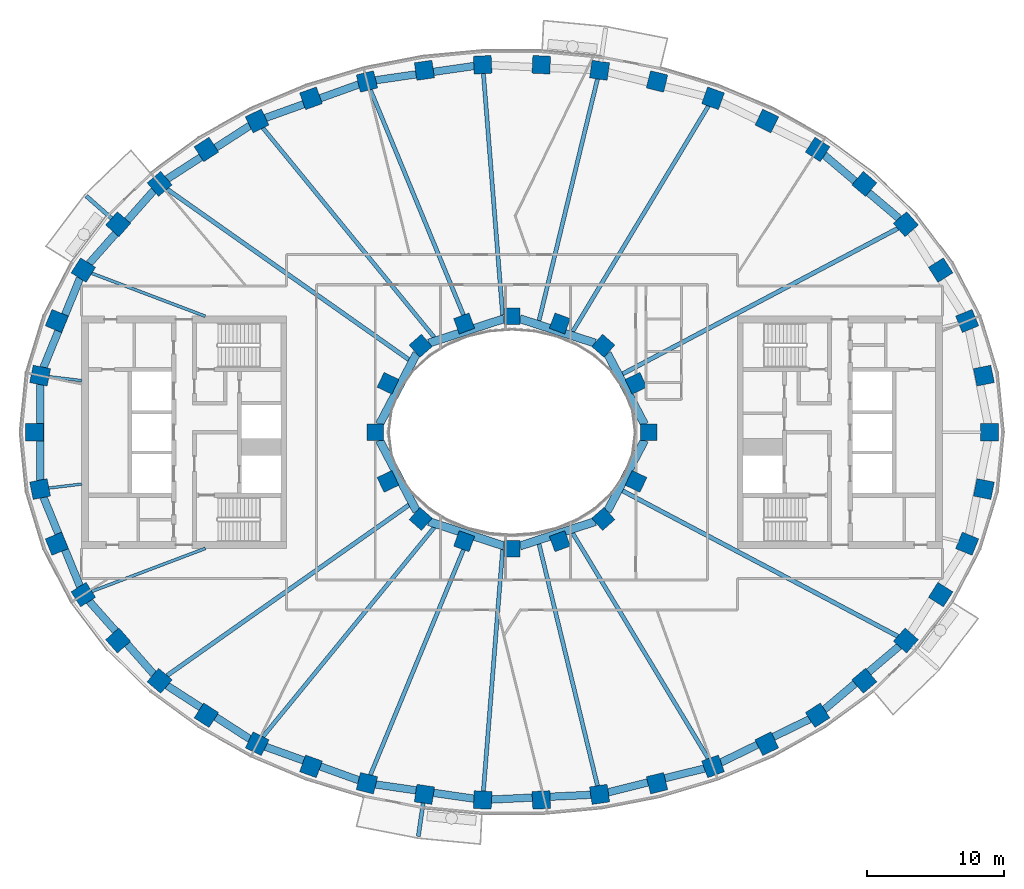
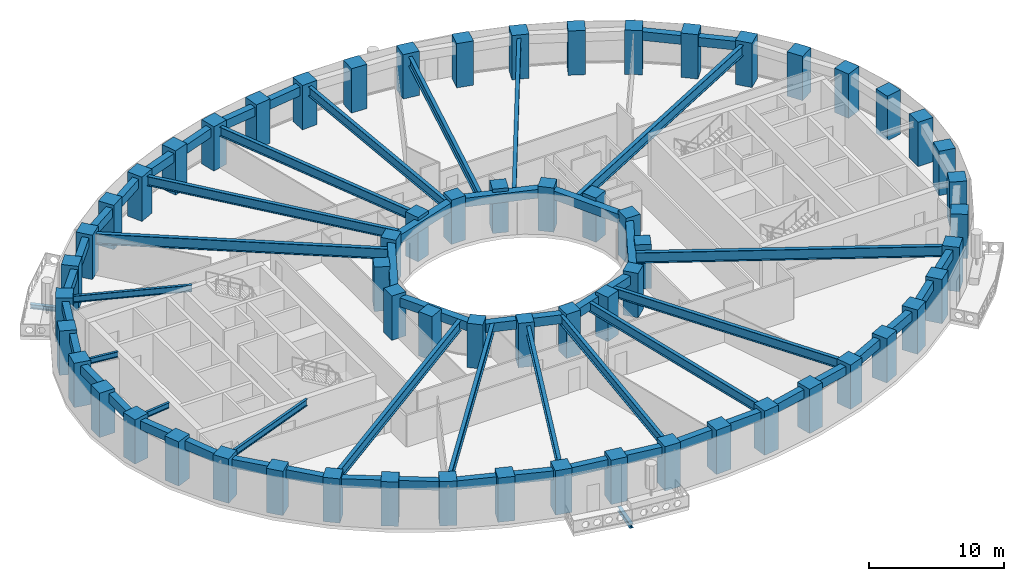
# One storey, part 1 of 16: 62 columns, 44 beams.
"""IFC4 building model written with IfcOpenShell, lengths in metres."""

import ifcopenshell
import ifcopenshell.guid

model = None  # the IFC model being written
_history = None  # IfcOwnerHistory: only IFC2X3 demands one
_inside = {}  # id of a spatial element -> (the spatial element, [elements in it])
_under = {}  # id of a project, library or spatial element -> (it, [spatial elements below it])
_declared = {}  # id of a project -> (the project, [libraries it declares])
_typed = {}  # id of a type object -> (the type object, [elements of that type])
_made_of = {}  # id of a material, layer set ... -> (it, [elements and type objects made of it])


def new_model(schema):
    """Start an empty IFC model of exactly this schema.

    Asked for "IFC4X3", IfcOpenShell would pick the latest addendum, in which some entities
    have other attributes; the version numbers below select the first issue.
    IFC2X3 requires an IfcOwnerHistory on every rooted entity: one is made here for all.
    """
    global model, _history
    if schema == "IFC4X3":
        model = ifcopenshell.file(schema_version=(4, 3, 0, 0))
    else:
        model = ifcopenshell.file(schema=schema)
    _inside.clear()
    _under.clear()
    _declared.clear()
    _typed.clear()
    _made_of.clear()
    _history = None
    if model.schema == "IFC2X3":
        org = make("IfcOrganization", Name="unknown")
        user = make(
            "IfcPersonAndOrganization",
            ThePerson=make("IfcPerson", FamilyName="unknown"),
            TheOrganization=org,
        )
        app = make(
            "IfcApplication",
            ApplicationDeveloper=org,
            Version="unknown",
            ApplicationFullName="unknown",
            ApplicationIdentifier="unknown",
        )
        _history = make(
            "IfcOwnerHistory",
            OwningUser=user,
            OwningApplication=app,
            ChangeAction="ADDED",
            CreationDate=0,
        )
    return model


def make(cls, **values):
    """One entity of the class cls with the attributes given. An attribute that is None is left unset."""
    return model.create_entity(
        cls, **{name: value for name, value in values.items() if value is not None}
    )


def rooted(cls, **values):
    """An entity with a GlobalId (a new one), such as an element, a storey or a relation."""
    return make(cls, GlobalId=ifcopenshell.guid.new(), OwnerHistory=_history, **values)


def si_unit(unit_type, name, prefix=None):
    """IfcSIUnit, for example si_unit("LENGTHUNIT", "METRE", prefix="MILLI")."""
    return make("IfcSIUnit", UnitType=unit_type, Prefix=prefix, Name=name)


def assignment(units):
    """IfcUnitAssignment: the units of a project."""
    return None if units is None else make("IfcUnitAssignment", Units=units)


def point(xyz):
    """IfcCartesianPoint."""
    return None if xyz is None else make("IfcCartesianPoint", Coordinates=xyz)


def direction(xyz):
    """IfcDirection."""
    return None if xyz is None else make("IfcDirection", DirectionRatios=xyz)


def frame(location, z_axis=None, x_axis=None):
    """IfcAxis2Placement3D, a coordinate frame: its origin and axes. An axis left out is left unset."""
    return make(
        "IfcAxis2Placement3D",
        Location=point(location),
        Axis=direction(z_axis),
        RefDirection=direction(x_axis),
    )


def frame_2d(location, x_axis=None):
    """IfcAxis2Placement2D, a coordinate frame in the plane: its origin and x axis."""
    return make(
        "IfcAxis2Placement2D", Location=point(location), RefDirection=direction(x_axis)
    )


def origin():
    """The frame at (0, 0, 0) with its axes left unset."""
    return frame((0.0, 0.0, 0.0))


def origin_2d():
    """The frame at (0, 0) in the plane with its x axis left unset."""
    return frame_2d((0.0, 0.0))


def place(relative_to, where):
    """IfcLocalPlacement: puts the frame where relative to a parent placement (None: the world)."""
    return make(
        "IfcLocalPlacement", PlacementRelTo=relative_to, RelativePlacement=where
    )


def context(
    kind, dimensions, precision=None, world=None, true_north=None, identifier=None
):
    """IfcGeometricRepresentationContext, for example the 3D "Model" context."""
    return make(
        "IfcGeometricRepresentationContext",
        ContextIdentifier=identifier,
        ContextType=kind,
        CoordinateSpaceDimension=dimensions,
        Precision=precision,
        WorldCoordinateSystem=world,
        TrueNorth=true_north,
    )


def subcontext(parent, identifier, kind, view, scale=None):
    """IfcGeometricRepresentationSubContext, for example "Body" below "Model"."""
    return make(
        "IfcGeometricRepresentationSubContext",
        ContextIdentifier=identifier,
        ContextType=kind,
        ParentContext=parent,
        TargetScale=scale,
        TargetView=view,
    )


def project(units=None, contexts=None):
    """IfcProject with its units and contexts."""
    return rooted(
        "IfcProject",
        Name="project",
        RepresentationContexts=contexts,
        UnitsInContext=assignment(units),
    )


def spatial(cls, under=None, at=None, **own):
    """A site, building, storey or space (cls), placed at a placement, below another one or the project."""
    s = rooted(cls, ObjectPlacement=at, **own)
    if under is not None:
        _under.setdefault(under.id(), (under, []))[1].append(s)
    return s


def profile(cls, at=None, kind="AREA", **sizes):
    """A parametric profile (cls). Its sizes go by their IFC names, for example OverallWidth=200.0."""
    return make(cls, ProfileType=kind, Position=at, **sizes)


def rectangle(**sizes):
    """IfcRectangleProfileDef."""
    return profile("IfcRectangleProfileDef", **sizes)


def i_section(**sizes):
    """IfcIShapeProfileDef."""
    return profile("IfcIShapeProfileDef", **sizes)


def extrude(swept, where, along, depth):
    """IfcExtrudedAreaSolid: the profile swept, set in the frame where, extruded along a direction by depth."""
    return make(
        "IfcExtrudedAreaSolid",
        SweptArea=swept,
        Position=where,
        ExtrudedDirection=direction(along),
        Depth=depth,
    )


def shape(context_of_items, identifier, shape_type, items):
    """IfcShapeRepresentation: the items that make up one representation, for example the "Body"."""
    return make(
        "IfcShapeRepresentation",
        ContextOfItems=context_of_items,
        RepresentationIdentifier=identifier,
        RepresentationType=shape_type,
        Items=items,
    )


def material(Name=None, Category=None):
    """IfcMaterial."""
    return make("IfcMaterial", Name=Name, Category=Category)


def material_profile(
    of_material, cross_section, Name=None, Category=None, Priority=None
):
    """IfcMaterialProfile: a cross section and its material."""
    return make(
        "IfcMaterialProfile",
        Name=Name,
        Material=of_material,
        Profile=cross_section,
        Priority=Priority,
        Category=Category,
    )


def profile_set(profiles, Name=None, composite=None):
    """IfcMaterialProfileSet."""
    return make(
        "IfcMaterialProfileSet",
        Name=Name,
        MaterialProfiles=profiles,
        CompositeProfile=composite,
    )


def made_of(thing, what):
    """Note that an element or type object is made of a material, layer set ...; save() writes the relation."""
    if what is not None:
        _made_of.setdefault(what.id(), (what, []))[1].append(thing)
    return thing


def type_object(cls, material=None, **own):
    """A type object (cls), such as IfcWallType, which elements share."""
    return made_of(rooted(cls, **own), material)


def element(
    cls,
    number,
    at=None,
    inside=None,
    cuts=None,
    type_object=None,
    material=None,
    context=None,
    identifier="Body",
    shape_type=None,
    held_by="IfcProductDefinitionShape",
    body=None,
    shapes=None,
    **own,
):
    """One element of the class cls, such as IfcWall. Its Tag is "e" and its number.

    at: its placement. inside: the storey or other place that contains it. cuts: it is an
    opening in that element (IfcRelVoidsElement). A single representation is given by context,
    identifier, shape_type and body (its items); several are given by shapes. held_by: the class
    of the entity that holds the representations. save() writes the other relations.
    """
    e = rooted(cls, Tag="e%d" % number, ObjectPlacement=at, **own)
    if body is not None:
        shapes = [shape(context, identifier, shape_type, body)]
    if shapes is not None:
        e.Representation = make(held_by, Representations=shapes)
    if inside is not None:
        _inside.setdefault(inside.id(), (inside, []))[1].append(e)
    if cuts is not None:
        rooted(
            "IfcRelVoidsElement", RelatingBuildingElement=cuts, RelatedOpeningElement=e
        )
    if type_object is not None:
        _typed.setdefault(type_object.id(), (type_object, []))[1].append(e)
    return made_of(e, material)


def aggregate(whole, parts):
    """IfcRelAggregates: a whole, such as a stair, and the parts it consists of."""
    return rooted("IfcRelAggregates", RelatingObject=whole, RelatedObjects=parts)


def save(model, path):
    """Write the relations noted so far, then the file.

    IfcRelAggregates (storeys below a building ...), IfcRelContainedInSpatialStructure (elements
    in a storey), IfcRelDefinesByType, IfcRelAssociatesMaterial and IfcRelDeclares: one each for
    every whole, place, type object, material and project.
    """
    for whole, parts in _under.values():
        aggregate(whole, parts)
    for where, things in _inside.values():
        rooted(
            "IfcRelContainedInSpatialStructure",
            RelatedElements=things,
            RelatingStructure=where,
        )
    for kind, things in _typed.values():
        rooted("IfcRelDefinesByType", RelatedObjects=things, RelatingType=kind)
    for what, things in _made_of.values():
        rooted("IfcRelAssociatesMaterial", RelatedObjects=things, RelatingMaterial=what)
    for by, libraries in _declared.values():
        rooted("IfcRelDeclares", RelatingContext=by, RelatedDefinitions=libraries)
    model.write(path)


model = new_model("IFC4")

# Units and contexts
model_context = context("Model", 3, precision=1e-05, world=origin(), true_north=direction((0.0, 1.0)))
body_context = subcontext(model_context, "Body", "Model", "MODEL_VIEW")
ifc_project = project(units=[si_unit("LENGTHUNIT", "METRE"), si_unit("AREAUNIT", "SQUARE_METRE"), si_unit("VOLUMEUNIT", "CUBIC_METRE"), si_unit("PLANEANGLEUNIT", "RADIAN"), si_unit("MASSUNIT", "GRAM", prefix="KILO")], contexts=[model_context])

# Site, building, storey
site_placement = place(None, origin())
site = spatial("IfcSite", under=ifc_project, at=site_placement, CompositionType="ELEMENT")
building_placement = place(site_placement, origin())
building = spatial("IfcBuilding", under=site, at=building_placement, Name="Noorbagh Ring Tower", CompositionType="ELEMENT")
storey_placement = place(building_placement, frame((0.0, 0.0, 100.0)))
storey = spatial("IfcBuildingStorey", under=building, at=storey_placement, Name="L22", CompositionType="ELEMENT", Elevation=100.0)

# Columns
ifc_material_1 = material(Name="Concrete C60/75", Category="concrete")
ifc_material_profile_1 = material_profile(ifc_material_1, rectangle(XDim=1.300048828125, YDim=1.300048828125, at=origin_2d()), Name="RC1300x1300")
ifc_profile_set_1 = profile_set([ifc_material_profile_1], Name="Concrete C60/75")
column_type_1 = type_object("IfcColumnType", Name="STR-COL-RC1300x1300-C60-75", PredefinedType="COLUMN", material=ifc_profile_set_1)
for number, where, z_axis, x_axis, name in (
    (1, (34.944580078125, 0.0, 0.0), (0.0, 0.0, 1.0), (0.0, 1.0, 0.0), "L22/col/R1-01"),
    (2, (34.52685546875, 4.150634765625, 0.0), (0.0, 0.0, 1.0), (-0.19723040178, 0.9803571638, 0.0), "L22/col/R1-02"),
    (3, (33.30517578125, 8.1494140625, 0.0), (0.0, 0.0, 1.0), (-0.378989499959, 0.925400971969, 0.0), "L22/col/R1-03"),
    (4, (31.364990234375, 11.87109375, 0.0), (0.0, 0.0, 1.0), (-0.535190403059, 0.844731455833, 0.0), "L22/col/R1-04"),
    (5, (28.81884765625, 15.23046875, 0.0), (0.0, 0.0, 1.0), (-0.662635642662, 0.748941923699, 0.0), "L22/col/R1-05"),
    (6, (25.78271484375, 18.180419921875, 0.0), (0.0, 0.0, 1.0), (-0.763035199656, 0.646356932419, 0.0), "L22/col/R1-06"),
    (7, (22.362060546875, 20.699951171875, 0.0), (0.0, 0.0, 1.0), (-0.840247639643, 0.542202825586, 0.0), "L22/col/R1-07"),
    (8, (18.646240234375, 22.785400390625, 0.0), (0.0, 0.0, 1.0), (-0.898399080868, 0.439180021741, 0.0), "L22/col/R1-08"),
    (9, (14.70947265625, 24.44091796875, 0.0), (0.0, 0.0, 1.0), (-0.941024726094, 0.338337797003, 0.0), "L22/col/R1-09"),
    (10, (10.61328125, 25.673583984375, 0.0), (0.0, 0.0, 1.0), (-0.970829360981, 0.239771457553, 0.0), "L22/col/R1-10"),
    (11, (6.4091796875, 26.49072265625, 0.0), (0.0, 0.0, 1.0), (-0.989713114048, 0.143066249975, 0.0), "L22/col/R1-11"),
    (12, (2.14306640625, 26.89794921875, 0.0), (0.0, 0.0, 1.0), (-0.998868731212, 0.047552684538, 0.0), "L22/col/R1-12"),
    (13, (-2.14306640625, 26.89794921875, 0.0), (0.0, 0.0, 1.0), (-0.998868731212, -0.047552684538, 0.0), "L22/col/R1-13"),
    (14, (-6.4091796875, 26.49072265625, 0.0), (0.0, 0.0, 1.0), (-0.989713114048, -0.143066249975, 0.0), "L22/col/R1-14"),
    (15, (-10.61328125, 25.673583984375, 0.0), (0.0, 0.0, 1.0), (-0.970829360981, -0.239771457553, 0.0), "L22/col/R1-15"),
    (16, (-14.70947265625, 24.44091796875, 0.0), (0.0, 0.0, 1.0), (-0.941024726094, -0.338337797003, 0.0), "L22/col/R1-16"),
    (17, (-18.646240234375, 22.785400390625, 0.0), (0.0, 0.0, 1.0), (-0.898399080868, -0.439180021741, 0.0), "L22/col/R1-17"),
    (18, (-22.362060546875, 20.699951171875, 0.0), (0.0, 0.0, 1.0), (-0.840247639643, -0.542202825586, 0.0), "L22/col/R1-18"),
    (19, (-25.78271484375, 18.180419921875, 0.0), (0.0, 0.0, 1.0), (-0.763035199656, -0.646356932419, 0.0), "L22/col/R1-19"),
    (20, (-28.81884765625, 15.23046875, 0.0), (0.0, 0.0, 1.0), (-0.662635642662, -0.748941923699, 0.0), "L22/col/R1-20"),
    (21, (-31.364990234375, 11.87109375, 0.0), (0.0, 0.0, 1.0), (-0.535190403059, -0.844731455833, 0.0), "L22/col/R1-21"),
    (22, (-33.30517578125, 8.1494140625, 0.0), (0.0, 0.0, 1.0), (-0.378989499959, -0.925400971969, 0.0), "L22/col/R1-22"),
    (23, (-34.52685546875, 4.150634765625, 0.0), (0.0, 0.0, 1.0), (-0.19723040178, -0.9803571638, 0.0), "L22/col/R1-23"),
    (24, (-34.944580078125, 0.0, 0.0), (0.0, 0.0, 1.0), (0.0, -1.0, 0.0), "L22/col/R1-24"),
    (25, (-34.52685546875, -4.150634765625, 0.0), (0.0, 0.0, 1.0), (0.19723040178, -0.9803571638, 0.0), "L22/col/R1-25"),
    (26, (-33.30517578125, -8.1494140625, 0.0), (0.0, 0.0, 1.0), (0.378989499959, -0.925400971969, 0.0), "L22/col/R1-26"),
    (27, (-31.364990234375, -11.87109375, 0.0), (0.0, 0.0, 1.0), (0.535190403059, -0.844731455833, 0.0), "L22/col/R1-27"),
    (28, (-28.81884765625, -15.23046875, 0.0), (0.0, 0.0, 1.0), (0.662635642662, -0.748941923699, 0.0), "L22/col/R1-28"),
    (29, (-25.78271484375, -18.180419921875, 0.0), (0.0, 0.0, 1.0), (0.763035199656, -0.646356932419, 0.0), "L22/col/R1-29"),
    (30, (-22.362060546875, -20.699951171875, 0.0), (0.0, 0.0, 1.0), (0.840247639643, -0.542202825586, 0.0), "L22/col/R1-30"),
    (31, (-18.646240234375, -22.785400390625, 0.0), (0.0, 0.0, 1.0), (0.898399080868, -0.439180021741, 0.0), "L22/col/R1-31"),
    (32, (-14.70947265625, -24.44091796875, 0.0), (0.0, 0.0, 1.0), (0.941024726094, -0.338337797003, 0.0), "L22/col/R1-32"),
    (33, (-10.61328125, -25.673583984375, 0.0), (0.0, 0.0, 1.0), (0.970829360981, -0.239771457553, 0.0), "L22/col/R1-33"),
    (34, (-6.4091796875, -26.49072265625, 0.0), (0.0, 0.0, 1.0), (0.989713114048, -0.143066249975, 0.0), "L22/col/R1-34"),
    (35, (-2.14306640625, -26.89794921875, 0.0), (0.0, 0.0, 1.0), (0.998868731212, -0.047552684538, 0.0), "L22/col/R1-35"),
    (36, (2.14306640625, -26.89794921875, 0.0), (0.0, 0.0, 1.0), (0.998868731212, 0.047552684538, 0.0), "L22/col/R1-36"),
    (37, (6.4091796875, -26.49072265625, 0.0), (0.0, 0.0, 1.0), (0.989713114048, 0.143066249975, 0.0), "L22/col/R1-37"),
    (38, (10.61328125, -25.673583984375, 0.0), (0.0, 0.0, 1.0), (0.970829360981, 0.239771457553, 0.0), "L22/col/R1-38"),
    (39, (14.70947265625, -24.44091796875, 0.0), (0.0, 0.0, 1.0), (0.941024726094, 0.338337797003, 0.0), "L22/col/R1-39"),
    (40, (18.646240234375, -22.785400390625, 0.0), (0.0, 0.0, 1.0), (0.898399080868, 0.439180021741, 0.0), "L22/col/R1-40"),
    (41, (22.362060546875, -20.699951171875, 0.0), (0.0, 0.0, 1.0), (0.840247639643, 0.542202825586, 0.0), "L22/col/R1-41"),
    (42, (25.78271484375, -18.180419921875, 0.0), (0.0, 0.0, 1.0), (0.763035199656, 0.646356932419, 0.0), "L22/col/R1-42"),
    (43, (28.81884765625, -15.23046875, 0.0), (0.0, 0.0, 1.0), (0.662635642662, 0.748941923699, 0.0), "L22/col/R1-43"),
    (44, (31.364990234375, -11.87109375, 0.0), (0.0, 0.0, 1.0), (0.535190403059, 0.844731455833, 0.0), "L22/col/R1-44"),
    (45, (33.30517578125, -8.1494140625, 0.0), (0.0, 0.0, 1.0), (0.378989499959, 0.925400971969, 0.0), "L22/col/R1-45"),
    (46, (34.52685546875, -4.150634765625, 0.0), (0.0, 0.0, 1.0), (0.19723040178, 0.9803571638, 0.0), "L22/col/R1-46"),
):
    element("IfcColumn", number, at=place(storey_placement, frame(where, z_axis=z_axis, x_axis=x_axis)), inside=storey, type_object=column_type_1, Name=name, PredefinedType="COLUMN", context=body_context, shape_type="SweptSolid", body=[
        extrude(rectangle(XDim=1.300048828125, YDim=1.300048828125, at=origin_2d()), origin(), (0.0, 0.0, 1.0), 4.0),
    ])
ifc_material_2 = material(Name="Concrete C60/75", Category="concrete")
ifc_material_profile_2 = material_profile(ifc_material_2, rectangle(XDim=1.199951171875, YDim=1.199951171875, at=origin_2d()), Name="RC1200x1200")
ifc_profile_set_2 = profile_set([ifc_material_profile_2], Name="Concrete C60/75")
column_type_2 = type_object("IfcColumnType", Name="STR-ICOL-RC1200x1200-C60-75", PredefinedType="COLUMN", material=ifc_profile_set_2)
for number, where, z_axis, x_axis, name in (
    (47, (10.00830078125, 0.0, 0.0), (0.0, 0.0, 1.0), (0.0, 1.0, 0.0), "L22/col/IR2-W01"),
    (48, (9.07568359375, 3.58837890625, 0.0), (0.0, 0.0, 1.0), (-0.428666979171, 0.903462573087, 0.0), "L22/col/IR2-W03"),
    (49, (6.68212890625, 6.333740234375, 0.0), (0.0, 0.0, 1.0), (-0.75102249095, 0.660276622399, 0.0), "L22/col/IR2-W05"),
    (50, (3.5009765625, 7.967041015625, 0.0), (0.0, 0.0, 1.0), (-0.939019578916, 0.343863679984, 0.0), "L22/col/IR2-W07"),
    (51, (0.0, 8.5029296875, 0.0), (0.0, 0.0, 1.0), (-1.0, 0.0, 0.0), "L22/col/IR2-W09"),
    (52, (-3.5009765625, 7.967041015625, 0.0), (0.0, 0.0, 1.0), (-0.939019578916, -0.343863679984, 0.0), "L22/col/IR2-W11"),
    (53, (-6.68212890625, 6.333740234375, 0.0), (0.0, 0.0, 1.0), (-0.75102249095, -0.660276622399, 0.0), "L22/col/IR2-W13"),
    (54, (-9.07568359375, 3.58837890625, 0.0), (0.0, 0.0, 1.0), (-0.428666979171, -0.903462573087, 0.0), "L22/col/IR2-W15"),
    (55, (-10.00830078125, 0.0, 0.0), (0.0, 0.0, 1.0), (0.0, -1.0, 0.0), "L22/col/IR2-W17"),
    (56, (-9.07568359375, -3.58837890625, 0.0), (0.0, 0.0, 1.0), (0.428666979171, -0.903462573087, 0.0), "L22/col/IR2-W19"),
    (57, (-6.68212890625, -6.333740234375, 0.0), (0.0, 0.0, 1.0), (0.75102249095, -0.660276622399, 0.0), "L22/col/IR2-W21"),
    (58, (-3.5009765625, -7.967041015625, 0.0), (0.0, 0.0, 1.0), (0.939019578916, -0.343863679984, 0.0), "L22/col/IR2-W23"),
    (59, (0.0, -8.5029296875, 0.0), (0.0, 0.0, 1.0), (1.0, 0.0, 0.0), "L22/col/IR2-W25"),
    (60, (3.5009765625, -7.967041015625, 0.0), (0.0, 0.0, 1.0), (0.939019578916, 0.343863679984, 0.0), "L22/col/IR2-W27"),
    (61, (6.68212890625, -6.333740234375, 0.0), (0.0, 0.0, 1.0), (0.75102249095, 0.660276622399, 0.0), "L22/col/IR2-W29"),
    (62, (9.07568359375, -3.58837890625, 0.0), (0.0, 0.0, 1.0), (0.428666979171, 0.903462573087, 0.0), "L22/col/IR2-W31"),
):
    element("IfcColumn", number, at=place(storey_placement, frame(where, z_axis=z_axis, x_axis=x_axis)), inside=storey, type_object=column_type_2, Name=name, PredefinedType="COLUMN", context=body_context, shape_type="SweptSolid", body=[
        extrude(rectangle(XDim=1.199951171875, YDim=1.199951171875, at=origin_2d()), origin(), (0.0, 0.0, 1.0), 4.0),
    ])

# Beams
ifc_material_3 = material(Name="Steel S355", Category="steel")
ifc_material_profile_3 = material_profile(ifc_material_3, i_section(OverallWidth=0.300048828125, OverallDepth=0.39990234375, WebThickness=0.013427734375, FlangeThickness=0.02392578125, FilletRadius=0.027099609375, at=origin_2d()), Name="HEB400")
ifc_profile_set_3 = profile_set([ifc_material_profile_3], Name="Steel S355")
beam_type_1 = type_object("IfcBeamType", Name="STR-BALCONY-BRACKET-HEB400", PredefinedType="BEAM", material=ifc_profile_set_3)
beam_1_placement = place(storey_placement, frame((-29.290771484375, 15.64794921875, -0.5), z_axis=(-0.749058582827, 0.662503765645, 0.0), x_axis=(-0.662503765645, -0.749058582827, 0.0)))
element("IfcBeam", 63, at=beam_1_placement, inside=storey, type_object=beam_type_1, Name="Balcony bracket beam BN06", PredefinedType="BEAM", context=body_context, shape_type="SweptSolid", body=[
    extrude(i_section(OverallWidth=0.300048828125, OverallDepth=0.39990234375, WebThickness=0.013427734375, FlangeThickness=0.02392578125, FilletRadius=0.027099609375, at=origin_2d()), origin(), (0.0, 0.0, 1.0), 2.479248046875),
])
beam_2_placement = place(storey_placement, frame((-6.49951171875, -27.1142578125, -0.5), z_axis=(-0.14299620794, -0.989723236322, 0.0), x_axis=(0.989723236322, -0.14299620794, 0.0)))
element("IfcBeam", 64, at=beam_2_placement, inside=storey, type_object=beam_type_1, Name="Balcony bracket beam BS03", PredefinedType="BEAM", context=body_context, shape_type="SweptSolid", body=[
    extrude(i_section(OverallWidth=0.300048828125, OverallDepth=0.39990234375, WebThickness=0.013427734375, FlangeThickness=0.02392578125, FilletRadius=0.027099609375, at=origin_2d()), origin(), (0.0, 0.0, 1.0), 2.473876953125),
])
ifc_material_4 = material(Name="Steel S355", Category="steel")
ifc_material_profile_4 = material_profile(ifc_material_4, i_section(OverallWidth=0.199951171875, OverallDepth=0.5, WebThickness=0.01025390625, FlangeThickness=0.01611328125, FilletRadius=0.02099609375, at=origin_2d()), Name="IPE500")
ifc_profile_set_4 = profile_set([ifc_material_profile_4], Name="Steel S355")
beam_type_2 = type_object("IfcBeamType", Name="STR-RAD-IPE500", PredefinedType="BEAM", material=ifc_profile_set_4)
for number, where, z_axis, x_axis, name in (
    (65, (-33.899169921875, 4.0751953125, 3.449951171875), (0.992852635549, -0.119346738892, 0.0), (0.119346738892, 0.992852635549, 0.0), "L22/bm/RD23"),
    (66, (-33.899169921875, -4.0751953125, 3.449951171875), (0.992852635549, 0.119346738892, 0.0), (-0.119346738892, 0.992852635549, 0.0), "L22/bm/RD25"),
):
    element("IfcBeam", number, at=place(storey_placement, frame(where, z_axis=z_axis, x_axis=x_axis)), inside=storey, type_object=beam_type_2, Name=name, PredefinedType="BEAM", context=body_context, shape_type="SweptSolid", body=[
        extrude(i_section(OverallWidth=0.199951171875, OverallDepth=0.5, WebThickness=0.01025390625, FlangeThickness=0.01611328125, FilletRadius=0.02099609375, at=origin_2d()), origin(), (0.0, 0.0, 1.0), 2.436279296875),
    ])
ifc_material_5 = material(Name="Steel S355", Category="steel")
ifc_material_profile_5 = material_profile(ifc_material_5, i_section(OverallWidth=0.219970703125, OverallDepth=0.60009765625, WebThickness=0.011962890625, FlangeThickness=0.01904296875, FilletRadius=0.02392578125, at=origin_2d()), Name="IPE600")
ifc_profile_set_5 = profile_set([ifc_material_profile_5], Name="Steel S355")
beam_type_3 = type_object("IfcBeamType", Name="STR-RAD-IPE600", PredefinedType="BEAM", material=ifc_profile_set_5)
for number, where, z_axis, x_axis, name in (
    (67, (-30.762939453125, 11.64306640625, 3.39990234375), (0.935256068659, -0.353971871815, 0.0), (0.353971871815, 0.935256068659, 0.0), "L22/bm/RD21"),
    (68, (-30.762939453125, -11.64306640625, 3.39990234375), (0.935256068659, 0.353971871815, 0.0), (-0.353971871815, 0.935256068659, 0.0), "L22/bm/RD27"),
):
    element("IfcBeam", number, at=place(storey_placement, frame(where, z_axis=z_axis, x_axis=x_axis)), inside=storey, type_object=beam_type_3, Name=name, PredefinedType="BEAM", context=body_context, shape_type="SweptSolid", body=[
        extrude(i_section(OverallWidth=0.219970703125, OverallDepth=0.60009765625, WebThickness=0.011962890625, FlangeThickness=0.01904296875, FilletRadius=0.02392578125, at=origin_2d()), origin(), (0.0, 0.0, 1.0), 8.8994140625),
    ])
ifc_material_6 = material(Name="Steel S355", Category="steel")
ifc_material_profile_6 = material_profile(ifc_material_6, i_section(OverallWidth=0.300048828125, OverallDepth=0.85009765625, WebThickness=0.013916015625, FlangeThickness=0.028076171875, at=origin_2d()), Name="PG850x300x14x28")
ifc_profile_set_6 = profile_set([ifc_material_profile_6], Name="Steel S355")
beam_type_4 = type_object("IfcBeamType", Name="STR-RAD-PG850x300x14x28", PredefinedType="BEAM", material=ifc_profile_set_6)
beam_3_placement = place(storey_placement, frame((14.378173828125, 23.89013671875, 3.27490234375), z_axis=(-0.515660214946, -0.85679317383, 0.0), x_axis=(0.85679317383, -0.515660214946, 0.0)))
element("IfcBeam", 69, at=beam_3_placement, inside=storey, type_object=beam_type_4, Name="L22/bm/RD09", PredefinedType="BEAM", context=body_context, shape_type="SweptSolid", body=[
    extrude(i_section(OverallWidth=0.300048828125, OverallDepth=0.85009765625, WebThickness=0.013916015625, FlangeThickness=0.028076171875, at=origin_2d()), origin(), (0.0, 0.0, 1.0), 19.293212890625),
])
beam_4_placement = place(storey_placement, frame((6.260498046875, 25.875732421875, 3.27490234375), z_axis=(-0.235164579981, -0.971955564994, 0.0), x_axis=(0.971955564994, -0.235164579981, 0.0)))
element("IfcBeam", 70, at=beam_4_placement, inside=storey, type_object=beam_type_4, Name="L22/bm/RD11", PredefinedType="BEAM", context=body_context, shape_type="SweptSolid", body=[
    extrude(i_section(OverallWidth=0.300048828125, OverallDepth=0.85009765625, WebThickness=0.013916015625, FlangeThickness=0.028076171875, at=origin_2d()), origin(), (0.0, 0.0, 1.0), 18.230224609375),
])
beam_5_placement = place(storey_placement, frame((-2.093017578125, 26.26953125, 3.27490234375), z_axis=(0.079419392273, -0.996841291345, 0.0), x_axis=(0.996841291345, 0.079419392273, 0.0)))
element("IfcBeam", 71, at=beam_5_placement, inside=storey, type_object=beam_type_4, Name="L22/bm/RD13", PredefinedType="BEAM", context=body_context, shape_type="SweptSolid", body=[
    extrude(i_section(OverallWidth=0.300048828125, OverallDepth=0.85009765625, WebThickness=0.013916015625, FlangeThickness=0.028076171875, at=origin_2d()), origin(), (0.0, 0.0, 1.0), 17.749755859375),
])
beam_6_placement = place(storey_placement, frame((-10.36962890625, 25.084716796875, 3.27490234375), z_axis=(0.38202515603, -0.924151924826, 0.0), x_axis=(0.924151924826, 0.38202515603, 0.0)))
element("IfcBeam", 72, at=beam_6_placement, inside=storey, type_object=beam_type_4, Name="L22/bm/RD15", PredefinedType="BEAM", context=body_context, shape_type="SweptSolid", body=[
    extrude(i_section(OverallWidth=0.300048828125, OverallDepth=0.85009765625, WebThickness=0.013916015625, FlangeThickness=0.028076171875, at=origin_2d()), origin(), (0.0, 0.0, 1.0), 18.750244140625),
])
for number, where, z_axis, x_axis, name in (
    (73, (-18.236083984375, 22.2841796875, 3.27490234375), (0.6333069067, -0.773900744234, 0.0), (0.773900744234, 0.6333069067, 0.0), "L22/bm/RD17"),
    (74, (-18.236083984375, -22.2841796875, 3.27490234375), (0.6333069067, 0.773900744234, 0.0), (-0.773900744234, 0.6333069067, 0.0), "L22/bm/RD31"),
):
    element("IfcBeam", number, at=place(storey_placement, frame(where, z_axis=z_axis, x_axis=x_axis)), inside=storey, type_object=beam_type_4, Name=name, PredefinedType="BEAM", context=body_context, shape_type="SweptSolid", body=[
        extrude(i_section(OverallWidth=0.300048828125, OverallDepth=0.85009765625, WebThickness=0.013916015625, FlangeThickness=0.028076171875, at=origin_2d()), origin(), (0.0, 0.0, 1.0), 19.811767578125),
    ])
beam_7_placement = place(storey_placement, frame((-10.36962890625, -25.084716796875, 3.27490234375), z_axis=(0.38202515603, 0.924151924826, 0.0), x_axis=(-0.924151924826, 0.38202515603, 0.0)))
element("IfcBeam", 75, at=beam_7_placement, inside=storey, type_object=beam_type_4, Name="L22/bm/RD33", PredefinedType="BEAM", context=body_context, shape_type="SweptSolid", body=[
    extrude(i_section(OverallWidth=0.300048828125, OverallDepth=0.85009765625, WebThickness=0.013916015625, FlangeThickness=0.028076171875, at=origin_2d()), origin(), (0.0, 0.0, 1.0), 18.750244140625),
])
beam_8_placement = place(storey_placement, frame((-2.093017578125, -26.26953125, 3.27490234375), z_axis=(0.079419392273, 0.996841291345, 0.0), x_axis=(-0.996841291345, 0.079419392273, 0.0)))
element("IfcBeam", 76, at=beam_8_placement, inside=storey, type_object=beam_type_4, Name="L22/bm/RD35", PredefinedType="BEAM", context=body_context, shape_type="SweptSolid", body=[
    extrude(i_section(OverallWidth=0.300048828125, OverallDepth=0.85009765625, WebThickness=0.013916015625, FlangeThickness=0.028076171875, at=origin_2d()), origin(), (0.0, 0.0, 1.0), 17.749755859375),
])
beam_9_placement = place(storey_placement, frame((6.260498046875, -25.875732421875, 3.27490234375), z_axis=(-0.235164579981, 0.971955564994, 0.0), x_axis=(-0.971955564994, -0.235164579981, 0.0)))
element("IfcBeam", 77, at=beam_9_placement, inside=storey, type_object=beam_type_4, Name="L22/bm/RD37", PredefinedType="BEAM", context=body_context, shape_type="SweptSolid", body=[
    extrude(i_section(OverallWidth=0.300048828125, OverallDepth=0.85009765625, WebThickness=0.013916015625, FlangeThickness=0.028076171875, at=origin_2d()), origin(), (0.0, 0.0, 1.0), 18.230224609375),
])
beam_10_placement = place(storey_placement, frame((14.378173828125, -23.89013671875, 3.27490234375), z_axis=(-0.515660214946, 0.85679317383, 0.0), x_axis=(-0.85679317383, -0.515660214946, 0.0)))
element("IfcBeam", 78, at=beam_10_placement, inside=storey, type_object=beam_type_4, Name="L22/bm/RD39", PredefinedType="BEAM", context=body_context, shape_type="SweptSolid", body=[
    extrude(i_section(OverallWidth=0.300048828125, OverallDepth=0.85009765625, WebThickness=0.013916015625, FlangeThickness=0.028076171875, at=origin_2d()), origin(), (0.0, 0.0, 1.0), 19.293212890625),
])
ifc_material_7 = material(Name="Steel S355", Category="steel")
ifc_material_profile_7 = material_profile(ifc_material_7, i_section(OverallWidth=0.320068359375, OverallDepth=0.949951171875, WebThickness=0.01611328125, FlangeThickness=0.030029296875, at=origin_2d()), Name="PG950x320x16x30")
ifc_profile_set_7 = profile_set([ifc_material_profile_7], Name="Steel S355")
beam_type_5 = type_object("IfcBeamType", Name="STR-RAD-PG950x320x16x30", PredefinedType="BEAM", material=ifc_profile_set_7)
beam_11_placement = place(storey_placement, frame((28.2451171875, 14.92724609375, 3.22509765625), z_axis=(-0.8841222966, -0.467255566746, 0.0), x_axis=(0.467255566746, -0.8841222966, 0.0)))
element("IfcBeam", 79, at=beam_11_placement, inside=storey, type_object=beam_type_5, Name="L22/bm/RD05", PredefinedType="BEAM", context=body_context, shape_type="SweptSolid", body=[
    extrude(i_section(OverallWidth=0.320068359375, OverallDepth=0.949951171875, WebThickness=0.01611328125, FlangeThickness=0.030029296875, at=origin_2d()), origin(), (0.0, 0.0, 1.0), 22.80615234375),
])
for number, where, z_axis, x_axis, name in (
    (80, (-25.250244140625, 17.804931640625, 3.22509765625), (0.817253985622, -0.57627764401, 0.0), (0.57627764401, 0.817253985622, 0.0), "L22/bm/RD19"),
    (81, (-25.250244140625, -17.804931640625, 3.22509765625), (0.817253985622, 0.57627764401, 0.0), (-0.57627764401, 0.817253985622, 0.0), "L22/bm/RD29"),
):
    element("IfcBeam", number, at=place(storey_placement, frame(where, z_axis=z_axis, x_axis=x_axis)), inside=storey, type_object=beam_type_5, Name=name, PredefinedType="BEAM", context=body_context, shape_type="SweptSolid", body=[
        extrude(i_section(OverallWidth=0.320068359375, OverallDepth=0.949951171875, WebThickness=0.01611328125, FlangeThickness=0.030029296875, at=origin_2d()), origin(), (0.0, 0.0, 1.0), 21.677001953125),
    ])
beam_12_placement = place(storey_placement, frame((28.2451171875, -14.92724609375, 3.22509765625), z_axis=(-0.8841222966, 0.467255566746, 0.0), x_axis=(-0.467255566746, -0.8841222966, 0.0)))
element("IfcBeam", 82, at=beam_12_placement, inside=storey, type_object=beam_type_5, Name="L22/bm/RD43", PredefinedType="BEAM", context=body_context, shape_type="SweptSolid", body=[
    extrude(i_section(OverallWidth=0.320068359375, OverallDepth=0.949951171875, WebThickness=0.01611328125, FlangeThickness=0.030029296875, at=origin_2d()), origin(), (0.0, 0.0, 1.0), 22.80615234375),
])
ifc_material_8 = material(Name="Concrete C40/50", Category="concrete")
ifc_material_profile_8 = material_profile(ifc_material_8, rectangle(XDim=0.60009765625, YDim=0.800048828125, at=origin_2d()), Name="RC600x800")
ifc_profile_set_8 = profile_set([ifc_material_profile_8], Name="Concrete C40/50")
beam_type_6 = type_object("IfcBeamType", Name="STR-RB-RC600x800-C40-50", PredefinedType="BEAM", material=ifc_profile_set_8)
beam_13_placement = place(storey_placement, frame((9.70263671875, 0.582275390625, 3.300048828125), z_axis=(-0.464930830504, 0.885347007024, 0.0), x_axis=(-0.885347007024, -0.464930830504, 0.0)))
element("IfcBeam", 83, at=beam_13_placement, inside=storey, type_object=beam_type_6, Name="L22/bm/RG01", PredefinedType="BEAM", context=body_context, shape_type="SweptSolid", body=[
    extrude(rectangle(XDim=0.60009765625, YDim=0.800048828125, at=origin_2d()), origin(), (0.0, 0.0, 1.0), 5.873779296875),
])
for number, where, z_axis, x_axis, name in (
    (84, (6.07958984375, 6.529296875, 3.300048828125), (-0.951141392906, 0.308755648856, 0.0), (-0.308755648856, -0.951141392906, 0.0), "L22/bm/RG03"),
    (85, (-0.5810546875, 8.314208984375, 3.300048828125), (-0.951141392906, -0.308755648856, 0.0), (0.308755648856, -0.951141392906, 0.0), "L22/bm/RG05"),
):
    element("IfcBeam", number, at=place(storey_placement, frame(where, z_axis=z_axis, x_axis=x_axis)), inside=storey, type_object=beam_type_6, Name=name, PredefinedType="BEAM", context=body_context, shape_type="SweptSolid", body=[
        extrude(rectangle(XDim=0.60009765625, YDim=0.800048828125, at=origin_2d()), origin(), (0.0, 0.0, 1.0), 5.781005859375),
    ])
for number, where, z_axis, x_axis, name in (
    (86, (-6.9716796875, 5.78271484375, 3.300048828125), (-0.464930830504, -0.885347007024, 0.0), (0.885347007024, -0.464930830504, 0.0), "L22/bm/RG07"),
    (87, (-9.70263671875, -0.582275390625, 3.300048828125), (0.464930830504, -0.885347007024, 0.0), (0.885347007024, 0.464930830504, 0.0), "L22/bm/RG09"),
):
    element("IfcBeam", number, at=place(storey_placement, frame(where, z_axis=z_axis, x_axis=x_axis)), inside=storey, type_object=beam_type_6, Name=name, PredefinedType="BEAM", context=body_context, shape_type="SweptSolid", body=[
        extrude(rectangle(XDim=0.60009765625, YDim=0.800048828125, at=origin_2d()), origin(), (0.0, 0.0, 1.0), 5.873779296875),
    ])
for number, where, z_axis, x_axis, name in (
    (88, (-6.07958984375, -6.529296875, 3.300048828125), (0.951141392906, -0.308755648856, 0.0), (0.308755648856, 0.951141392906, 0.0), "L22/bm/RG11"),
    (89, (0.5810546875, -8.314208984375, 3.300048828125), (0.951141392906, 0.308755648856, 0.0), (-0.308755648856, 0.951141392906, 0.0), "L22/bm/RG13"),
):
    element("IfcBeam", number, at=place(storey_placement, frame(where, z_axis=z_axis, x_axis=x_axis)), inside=storey, type_object=beam_type_6, Name=name, PredefinedType="BEAM", context=body_context, shape_type="SweptSolid", body=[
        extrude(rectangle(XDim=0.60009765625, YDim=0.800048828125, at=origin_2d()), origin(), (0.0, 0.0, 1.0), 5.781005859375),
    ])
beam_14_placement = place(storey_placement, frame((6.9716796875, -5.78271484375, 3.300048828125), z_axis=(0.464930830504, 0.885347007024, 0.0), x_axis=(-0.885347007024, 0.464930830504, 0.0)))
element("IfcBeam", 90, at=beam_14_placement, inside=storey, type_object=beam_type_6, Name="L22/bm/RG15", PredefinedType="BEAM", context=body_context, shape_type="SweptSolid", body=[
    extrude(rectangle(XDim=0.60009765625, YDim=0.800048828125, at=origin_2d()), origin(), (0.0, 0.0, 1.0), 5.873779296875),
])
ifc_material_9 = material(Name="Concrete C40/50", Category="concrete")
ifc_material_profile_9 = material_profile(ifc_material_9, rectangle(XDim=0.550048828125, YDim=0.800048828125, at=origin_2d()), Name="RC550x800")
ifc_profile_set_9 = profile_set([ifc_material_profile_9], Name="Concrete C40/50")
beam_type_7 = type_object("IfcBeamType", Name="STR-SB-RC550x800-C40-50", PredefinedType="BEAM", material=ifc_profile_set_9)
beam_15_placement = place(storey_placement, frame((28.3330078125, 15.64208984375, 3.300048828125), z_axis=(-0.76303325952, 0.646359222775, 0.0), x_axis=(-0.646359222775, -0.76303325952, 0.0)))
element("IfcBeam", 91, at=beam_15_placement, inside=storey, type_object=beam_type_7, Name="L22/bm/SP05", PredefinedType="BEAM", context=body_context, shape_type="SweptSolid", body=[
    extrude(rectangle(XDim=0.550048828125, YDim=0.800048828125, at=origin_2d()), origin(), (0.0, 0.0, 1.0), 7.18994140625),
])
beam_16_placement = place(storey_placement, frame((-2.769775390625, 26.807373046875, 3.300048828125), z_axis=(-0.989713086327, -0.143066441741, 0.0), x_axis=(0.143066441741, -0.989713086327, 0.0)))
element("IfcBeam", 92, at=beam_16_placement, inside=storey, type_object=beam_type_7, Name="L22/bm/SP13", PredefinedType="BEAM", context=body_context, shape_type="SweptSolid", body=[
    extrude(rectangle(XDim=0.550048828125, YDim=0.800048828125, at=origin_2d()), origin(), (0.0, 0.0, 1.0), 7.291748046875),
])
beam_17_placement = place(storey_placement, frame((-11.209228515625, 25.459228515625, 3.300048828125), z_axis=(-0.941024767496, -0.33833768185, 0.0), x_axis=(0.33833768185, -0.941024767496, 0.0)))
element("IfcBeam", 93, at=beam_17_placement, inside=storey, type_object=beam_type_7, Name="L22/bm/SP15", PredefinedType="BEAM", context=body_context, shape_type="SweptSolid", body=[
    extrude(rectangle(XDim=0.550048828125, YDim=0.800048828125, at=origin_2d()), origin(), (0.0, 0.0, 1.0), 7.269287109375),
])
beam_18_placement = place(storey_placement, frame((-19.179443359375, 22.44140625, 3.300048828125), z_axis=(-0.840245983135, -0.542205392657, 0.0), x_axis=(0.542205392657, -0.840245983135, 0.0)))
element("IfcBeam", 94, at=beam_18_placement, inside=storey, type_object=beam_type_7, Name="L22/bm/SP17", PredefinedType="BEAM", context=body_context, shape_type="SweptSolid", body=[
    extrude(rectangle(XDim=0.550048828125, YDim=0.800048828125, at=origin_2d()), origin(), (0.0, 0.0, 1.0), 7.223388671875),
])
beam_19_placement = place(storey_placement, frame((-26.20458984375, 17.703369140625, 3.300048828125), z_axis=(-0.662640932003, -0.748937243855, 0.0), x_axis=(0.748937243855, -0.662640932003, 0.0)))
element("IfcBeam", 95, at=beam_19_placement, inside=storey, type_object=beam_type_7, Name="L22/bm/SP19", PredefinedType="BEAM", context=body_context, shape_type="SweptSolid", body=[
    extrude(rectangle(XDim=0.550048828125, YDim=0.800048828125, at=origin_2d()), origin(), (0.0, 0.0, 1.0), 7.149169921875),
])
beam_20_placement = place(storey_placement, frame((-31.607666015625, 11.278564453125, 3.300048828125), z_axis=(-0.378973457999, -0.925407541644, 0.0), x_axis=(0.925407541644, -0.378973457999, 0.0)))
element("IfcBeam", 96, at=beam_20_placement, inside=storey, type_object=beam_type_7, Name="L22/bm/SP21", PredefinedType="BEAM", context=body_context, shape_type="SweptSolid", body=[
    extrude(rectangle(XDim=0.550048828125, YDim=0.800048828125, at=origin_2d()), origin(), (0.0, 0.0, 1.0), 7.060546875),
])
beam_21_placement = place(storey_placement, frame((-34.52685546875, 3.507568359375, 3.300048828125), z_axis=(0.0, -1.0, 0.0), x_axis=(1.0, 0.0, 0.0)))
element("IfcBeam", 97, at=beam_21_placement, inside=storey, type_object=beam_type_7, Name="L22/bm/SP23", PredefinedType="BEAM", context=body_context, shape_type="SweptSolid", body=[
    extrude(rectangle(XDim=0.550048828125, YDim=0.800048828125, at=origin_2d()), origin(), (0.0, 0.0, 1.0), 7.01513671875),
])
beam_22_placement = place(storey_placement, frame((-34.283447265625, -4.74462890625, 3.300048828125), z_axis=(0.378973457999, -0.925407541644, 0.0), x_axis=(0.925407541644, 0.378973457999, 0.0)))
element("IfcBeam", 98, at=beam_22_placement, inside=storey, type_object=beam_type_7, Name="L22/bm/SP25", PredefinedType="BEAM", context=body_context, shape_type="SweptSolid", body=[
    extrude(rectangle(XDim=0.550048828125, YDim=0.800048828125, at=origin_2d()), origin(), (0.0, 0.0, 1.0), 7.060546875),
])
beam_23_placement = place(storey_placement, frame((-30.94189453125, -12.34912109375, 3.300048828125), z_axis=(0.662640932003, -0.748937243855, 0.0), x_axis=(0.748937243855, 0.662640932003, 0.0)))
element("IfcBeam", 99, at=beam_23_placement, inside=storey, type_object=beam_type_7, Name="L22/bm/SP27", PredefinedType="BEAM", context=body_context, shape_type="SweptSolid", body=[
    extrude(rectangle(XDim=0.550048828125, YDim=0.800048828125, at=origin_2d()), origin(), (0.0, 0.0, 1.0), 7.149169921875),
])
beam_24_placement = place(storey_placement, frame((-25.248779296875, -18.52490234375, 3.300048828125), z_axis=(0.840245983135, -0.542205392657, 0.0), x_axis=(0.542205392657, 0.840245983135, 0.0)))
element("IfcBeam", 100, at=beam_24_placement, inside=storey, type_object=beam_type_7, Name="L22/bm/SP29", PredefinedType="BEAM", context=body_context, shape_type="SweptSolid", body=[
    extrude(rectangle(XDim=0.550048828125, YDim=0.800048828125, at=origin_2d()), origin(), (0.0, 0.0, 1.0), 7.223388671875),
])
beam_25_placement = place(storey_placement, frame((-18.0498046875, -22.999755859375, 3.300048828125), z_axis=(0.941024767496, -0.33833768185, 0.0), x_axis=(0.33833768185, 0.941024767496, 0.0)))
element("IfcBeam", 101, at=beam_25_placement, inside=storey, type_object=beam_type_7, Name="L22/bm/SP31", PredefinedType="BEAM", context=body_context, shape_type="SweptSolid", body=[
    extrude(rectangle(XDim=0.550048828125, YDim=0.800048828125, at=origin_2d()), origin(), (0.0, 0.0, 1.0), 7.269287109375),
])
beam_26_placement = place(storey_placement, frame((-9.986572265625, -25.76416015625, 3.300048828125), z_axis=(0.989713086327, -0.143066441741, 0.0), x_axis=(0.143066441741, 0.989713086327, 0.0)))
element("IfcBeam", 102, at=beam_26_placement, inside=storey, type_object=beam_type_7, Name="L22/bm/SP33", PredefinedType="BEAM", context=body_context, shape_type="SweptSolid", body=[
    extrude(rectangle(XDim=0.550048828125, YDim=0.800048828125, at=origin_2d()), origin(), (0.0, 0.0, 1.0), 7.291748046875),
])
beam_27_placement = place(storey_placement, frame((-1.510986328125, -26.867919921875, 3.300048828125), z_axis=(0.998868894653, 0.047549251258, 0.0), x_axis=(-0.047549251258, 0.998868894653, 0.0)))
element("IfcBeam", 103, at=beam_27_placement, inside=storey, type_object=beam_type_7, Name="L22/bm/SP35", PredefinedType="BEAM", context=body_context, shape_type="SweptSolid", body=[
    extrude(rectangle(XDim=0.550048828125, YDim=0.800048828125, at=origin_2d()), origin(), (0.0, 0.0, 1.0), 7.296142578125),
])
beam_28_placement = place(storey_placement, frame((7.02392578125, -26.339111328125, 3.300048828125), z_axis=(0.970826778955, 0.239781911877, 0.0), x_axis=(-0.239781911877, 0.970826778955, 0.0)))
element("IfcBeam", 104, at=beam_28_placement, inside=storey, type_object=beam_type_7, Name="L22/bm/SP37", PredefinedType="BEAM", context=body_context, shape_type="SweptSolid", body=[
    extrude(rectangle(XDim=0.550048828125, YDim=0.800048828125, at=origin_2d()), origin(), (0.0, 0.0, 1.0), 7.282958984375),
])
beam_29_placement = place(storey_placement, frame((15.279052734375, -24.162353515625, 3.300048828125), z_axis=(0.898412117145, 0.43915335336, 0.0), x_axis=(-0.43915335336, 0.898412117145, 0.0)))
element("IfcBeam", 105, at=beam_29_placement, inside=storey, type_object=beam_type_7, Name="L22/bm/SP39", PredefinedType="BEAM", context=body_context, shape_type="SweptSolid", body=[
    extrude(rectangle(XDim=0.550048828125, YDim=0.800048828125, at=origin_2d()), origin(), (0.0, 0.0, 1.0), 7.249267578125),
])
beam_30_placement = place(storey_placement, frame((22.846923828125, -20.289306640625, 3.300048828125), z_axis=(0.76303325952, 0.646359222775, 0.0), x_axis=(-0.646359222775, 0.76303325952, 0.0)))
element("IfcBeam", 106, at=beam_30_placement, inside=storey, type_object=beam_type_7, Name="L22/bm/SP41", PredefinedType="BEAM", context=body_context, shape_type="SweptSolid", body=[
    extrude(rectangle(XDim=0.550048828125, YDim=0.800048828125, at=origin_2d()), origin(), (0.0, 0.0, 1.0), 7.18994140625),
])

save(model, "model.ifc")
